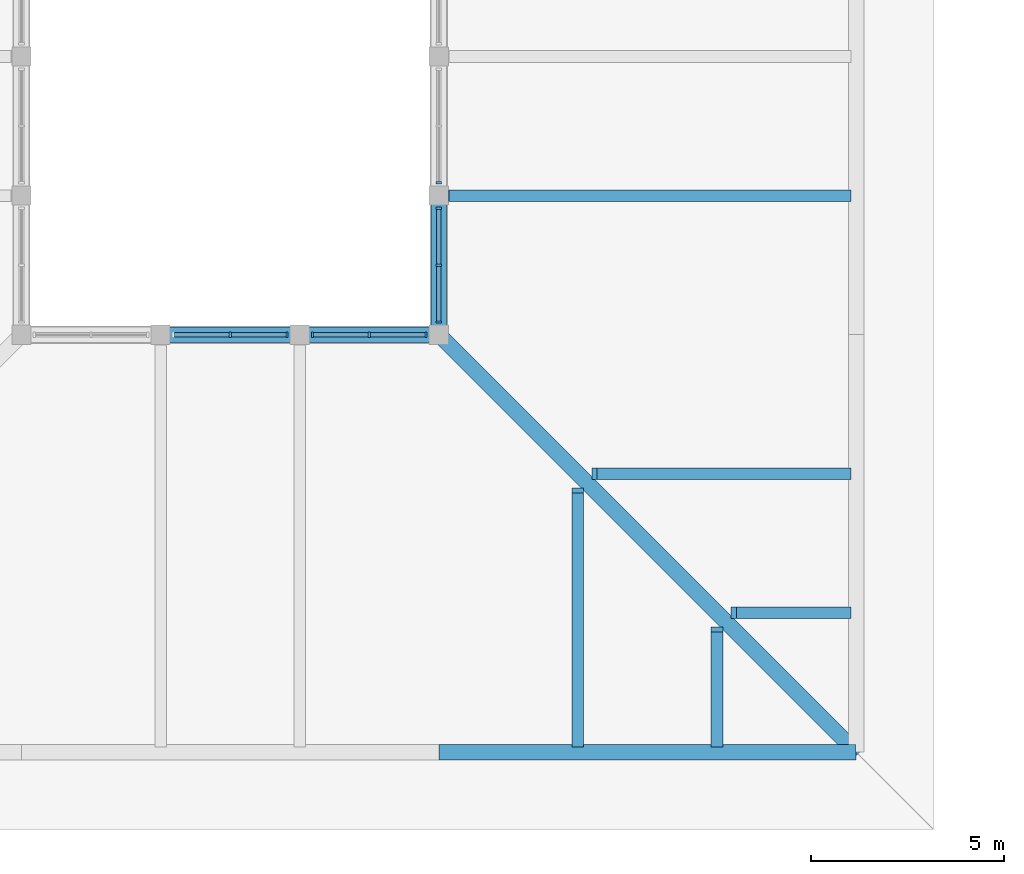
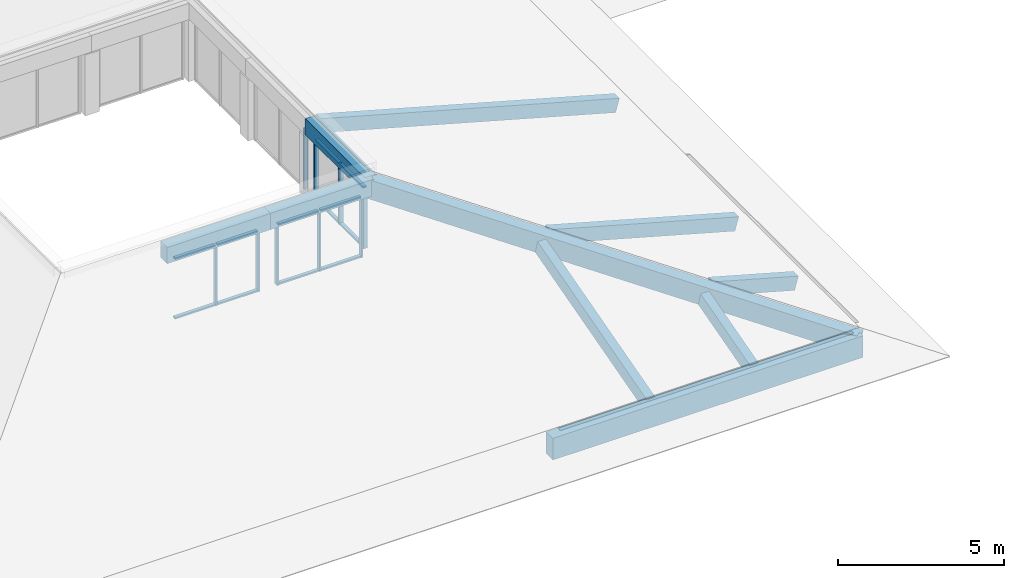
# One storey, part 10 of 95: 21 members, 10 beams, 4 elements without a shape of their own.
"""IFC4 building model written with IfcOpenShell, lengths in metres."""

from ifc_helpers import new_model, si_unit, direction, frame, origin, origin_2d, place, context, subcontext, project, spatial, rectangle, extrude, material, layer, layer_set, material_profile, profile_set, type_object, element, aggregate, save


model = new_model("IFC4")

# Units and contexts
model_context = context("Model", 3, precision=1e-05, world=origin(), true_north=direction((0.0, 1.0)))
body_context = subcontext(model_context, "Body", "Model", "MODEL_VIEW")
ifc_project = project(units=[si_unit("LENGTHUNIT", "METRE"), si_unit("AREAUNIT", "SQUARE_METRE"), si_unit("VOLUMEUNIT", "CUBIC_METRE"), si_unit("PLANEANGLEUNIT", "RADIAN"), si_unit("MASSUNIT", "GRAM", prefix="KILO")], contexts=[model_context])

# Site, building, storey
site_placement = place(None, origin())
site = spatial("IfcSite", under=ifc_project, at=site_placement, CompositionType="ELEMENT")
building_placement = place(site_placement, origin())
building = spatial("IfcBuilding", under=site, at=building_placement, Name="Magnolia Steps Interchange", CompositionType="ELEMENT")
storey_placement = place(building_placement, frame((0.0, 0.0, 4.800048828125)))
storey = spatial("IfcBuildingStorey", under=building, at=storey_placement, Name="L01", CompositionType="ELEMENT", Elevation=4.800048828125)

# Curtain wall, members
ifc_material_1 = material(Name="Timber-framed glazing", Category="wood")
ifc_layer = layer(ifc_material_1, 0.10009765625)
ifc_layer_set = layer_set([ifc_layer], Name="Patio clerestory curtain wall")
curtain_wall_type = type_object("IfcCurtainWallType", Name="Patio clerestory curtain wall", PredefinedType="NOTDEFINED", material=ifc_layer_set)
curtain_wall_1_placement = place(storey_placement, origin())
curtain_wall_1 = element("IfcCurtainWall", 1, at=curtain_wall_1_placement, inside=storey, type_object=curtain_wall_type, Name="Patio clerestory glazing S2", PredefinedType="NOTDEFINED")
ifc_material_2 = material(Name="White powder-coated aluminium", Category="aluminium")
ifc_material_profile_1 = material_profile(ifc_material_2, rectangle(XDim=0.06005859375, YDim=0.14990234375, at=origin_2d()), Name="Aluminium mullion 60 x 150")
ifc_profile_set_1 = profile_set([ifc_material_profile_1], Name="White powder-coated aluminium")
member_type_1 = type_object("IfcMemberType", Name="Aluminium mullion 60 x 150", PredefinedType="MULLION", material=ifc_profile_set_1)
member_1_placement = place(storey_placement, frame((26.199951171875, 20.800048828125, 0.0), z_axis=(0.0, 0.0, 1.0), x_axis=(1.0, 0.0, 0.0)))
member_1 = element("IfcMember", 2, at=member_1_placement, type_object=member_type_1, Name="CW4 mullion 2", PredefinedType="MULLION", context=body_context, shape_type="SweptSolid", body=[
    extrude(rectangle(XDim=0.06005859375, YDim=0.14990234375, at=origin_2d()), origin(), (0.0, 0.0, 1.0), 2.25),
])
member_2_placement = place(storey_placement, frame((27.669921875, 20.800048828125, 0.0), z_axis=(0.0, 0.0, 1.0), x_axis=(1.0, 0.0, 0.0)))
member_2 = element("IfcMember", 3, at=member_2_placement, type_object=member_type_1, Name="CW4 mullion 3", PredefinedType="MULLION", context=body_context, shape_type="SweptSolid", body=[
    extrude(rectangle(XDim=0.06005859375, YDim=0.14990234375, at=origin_2d()), origin(), (0.0, 0.0, 1.0), 2.25),
])

curtain_wall_2_placement = place(storey_placement, origin())
curtain_wall_2 = element("IfcCurtainWall", 4, at=curtain_wall_2_placement, inside=storey, type_object=curtain_wall_type, Name="Patio clerestory glazing S3", PredefinedType="NOTDEFINED")
member_3_placement = place(storey_placement, frame((28.330078125, 20.800048828125, 0.0), z_axis=(0.0, 0.0, 1.0), x_axis=(1.0, 0.0, 0.0)))
member_3 = element("IfcMember", 5, at=member_3_placement, type_object=member_type_1, Name="CW4 mullion 1", PredefinedType="MULLION", context=body_context, shape_type="SweptSolid", body=[
    extrude(rectangle(XDim=0.06005859375, YDim=0.14990234375, at=origin_2d()), origin(), (0.0, 0.0, 1.0), 2.25),
])
member_4_placement = place(storey_placement, frame((29.800048828125, 20.800048828125, 0.0), z_axis=(0.0, 0.0, 1.0), x_axis=(1.0, 0.0, 0.0)))
member_4 = element("IfcMember", 6, at=member_4_placement, type_object=member_type_1, Name="CW4 mullion 2", PredefinedType="MULLION", context=body_context, shape_type="SweptSolid", body=[
    extrude(rectangle(XDim=0.06005859375, YDim=0.14990234375, at=origin_2d()), origin(), (0.0, 0.0, 1.0), 2.25),
])
member_5_placement = place(storey_placement, frame((31.27001953125, 20.800048828125, 0.0), z_axis=(0.0, 0.0, 1.0), x_axis=(1.0, 0.0, 0.0)))
member_5 = element("IfcMember", 7, at=member_5_placement, type_object=member_type_1, Name="CW4 mullion 3", PredefinedType="MULLION", context=body_context, shape_type="SweptSolid", body=[
    extrude(rectangle(XDim=0.06005859375, YDim=0.14990234375, at=origin_2d()), origin(), (0.0, 0.0, 1.0), 2.25),
])

curtain_wall_3_placement = place(storey_placement, origin())
curtain_wall_3 = element("IfcCurtainWall", 8, at=curtain_wall_3_placement, inside=storey, type_object=curtain_wall_type, Name="Patio clerestory glazing E1", PredefinedType="NOTDEFINED")
member_6_placement = place(storey_placement, frame((31.60009765625, 21.1298828125, 0.0), z_axis=(0.0, 0.0, 1.0), x_axis=(0.0, 1.0, 0.0)))
member_6 = element("IfcMember", 9, at=member_6_placement, type_object=member_type_1, Name="CW4 mullion 1", PredefinedType="MULLION", context=body_context, shape_type="SweptSolid", body=[
    extrude(rectangle(XDim=0.06005859375, YDim=0.14990234375, at=origin_2d()), origin(), (0.0, 0.0, 1.0), 2.25),
])
member_7_placement = place(storey_placement, frame((31.60009765625, 22.60009765625, 0.0), z_axis=(0.0, 0.0, 1.0), x_axis=(0.0, 1.0, 0.0)))
member_7 = element("IfcMember", 10, at=member_7_placement, type_object=member_type_1, Name="CW4 mullion 2", PredefinedType="MULLION", context=body_context, shape_type="SweptSolid", body=[
    extrude(rectangle(XDim=0.06005859375, YDim=0.14990234375, at=origin_2d()), origin(), (0.0, 0.0, 1.0), 2.25),
])
member_8_placement = place(storey_placement, frame((31.60009765625, 24.070068359375, 0.0), z_axis=(0.0, 0.0, 1.0), x_axis=(0.0, 1.0, 0.0)))
member_8 = element("IfcMember", 11, at=member_8_placement, type_object=member_type_1, Name="CW4 mullion 3", PredefinedType="MULLION", context=body_context, shape_type="SweptSolid", body=[
    extrude(rectangle(XDim=0.06005859375, YDim=0.14990234375, at=origin_2d()), origin(), (0.0, 0.0, 1.0), 2.25),
])

# Curtain wall, member
curtain_wall_4_placement = place(storey_placement, origin())
curtain_wall_4 = element("IfcCurtainWall", 12, at=curtain_wall_4_placement, inside=storey, type_object=curtain_wall_type, Name="Patio clerestory glazing E2", PredefinedType="NOTDEFINED")
member_9_placement = place(storey_placement, frame((31.60009765625, 24.72998046875, 0.0), z_axis=(0.0, 0.0, 1.0), x_axis=(0.0, 1.0, 0.0)))
member_9 = element("IfcMember", 13, at=member_9_placement, type_object=member_type_1, Name="CW4 mullion 1", PredefinedType="MULLION", context=body_context, shape_type="SweptSolid", body=[
    extrude(rectangle(XDim=0.06005859375, YDim=0.14990234375, at=origin_2d()), origin(), (0.0, 0.0, 1.0), 2.25),
])
aggregate(curtain_wall_4, [member_9])

# Member
ifc_material_3 = material(Name="White powder-coated aluminium", Category="aluminium")
ifc_material_profile_2 = material_profile(ifc_material_3, rectangle(XDim=0.06005859375, YDim=0.1201171875, at=origin_2d()), Name="Aluminium transom 60 x 120")
ifc_profile_set_2 = profile_set([ifc_material_profile_2], Name="White powder-coated aluminium")
member_type_2 = type_object("IfcMemberType", Name="Aluminium transom 60 x 120", PredefinedType="USERDEFINED", material=ifc_profile_set_2)
member_10_placement = place(storey_placement, frame((24.760009765625, 20.800048828125, 0.030029296875), z_axis=(1.0, 0.0, 0.0), x_axis=(0.0, 0.0, 1.0)))
member_10 = element("IfcMember", 14, at=member_10_placement, type_object=member_type_2, Name="CW4 transom 1.1", ObjectType="TRANSOM", PredefinedType="USERDEFINED", context=body_context, shape_type="SweptSolid", body=[
    extrude(rectangle(XDim=0.06005859375, YDim=0.1201171875, at=origin_2d()), origin(), (0.0, 0.0, 1.0), 1.409912109375),
])

member_11_placement = place(storey_placement, frame((24.760009765625, 20.800048828125, 2.219970703125), z_axis=(1.0, 0.0, 0.0), x_axis=(0.0, 0.0, 1.0)))
member_11 = element("IfcMember", 15, at=member_11_placement, type_object=member_type_2, Name="CW4 transom 1.2", ObjectType="TRANSOM", PredefinedType="USERDEFINED", context=body_context, shape_type="SweptSolid", body=[
    extrude(rectangle(XDim=0.06005859375, YDim=0.1201171875, at=origin_2d()), origin(), (0.0, 0.0, 1.0), 1.409912109375),
])

member_12_placement = place(storey_placement, frame((26.22998046875, 20.800048828125, 0.030029296875), z_axis=(1.0, 0.0, 0.0), x_axis=(0.0, 0.0, 1.0)))
member_12 = element("IfcMember", 16, at=member_12_placement, type_object=member_type_2, Name="CW4 transom 2.1", ObjectType="TRANSOM", PredefinedType="USERDEFINED", context=body_context, shape_type="SweptSolid", body=[
    extrude(rectangle(XDim=0.06005859375, YDim=0.1201171875, at=origin_2d()), origin(), (0.0, 0.0, 1.0), 1.409912109375),
])

member_13_placement = place(storey_placement, frame((26.22998046875, 20.800048828125, 2.219970703125), z_axis=(1.0, 0.0, 0.0), x_axis=(0.0, 0.0, 1.0)))
member_13 = element("IfcMember", 17, at=member_13_placement, type_object=member_type_2, Name="CW4 transom 2.2", ObjectType="TRANSOM", PredefinedType="USERDEFINED", context=body_context, shape_type="SweptSolid", body=[
    extrude(rectangle(XDim=0.06005859375, YDim=0.1201171875, at=origin_2d()), origin(), (0.0, 0.0, 1.0), 1.409912109375),
])

aggregate(curtain_wall_1, [member_1, member_2, member_10, member_11, member_12, member_13])

member_14_placement = place(storey_placement, frame((28.360107421875, 20.800048828125, 0.030029296875), z_axis=(1.0, 0.0, 0.0), x_axis=(0.0, 0.0, 1.0)))
member_14 = element("IfcMember", 18, at=member_14_placement, type_object=member_type_2, Name="CW4 transom 1.1", ObjectType="TRANSOM", PredefinedType="USERDEFINED", context=body_context, shape_type="SweptSolid", body=[
    extrude(rectangle(XDim=0.06005859375, YDim=0.1201171875, at=origin_2d()), origin(), (0.0, 0.0, 1.0), 1.409912109375),
])

member_15_placement = place(storey_placement, frame((28.360107421875, 20.800048828125, 2.219970703125), z_axis=(1.0, 0.0, 0.0), x_axis=(0.0, 0.0, 1.0)))
member_15 = element("IfcMember", 19, at=member_15_placement, type_object=member_type_2, Name="CW4 transom 1.2", ObjectType="TRANSOM", PredefinedType="USERDEFINED", context=body_context, shape_type="SweptSolid", body=[
    extrude(rectangle(XDim=0.06005859375, YDim=0.1201171875, at=origin_2d()), origin(), (0.0, 0.0, 1.0), 1.409912109375),
])

member_16_placement = place(storey_placement, frame((29.830078125, 20.800048828125, 0.030029296875), z_axis=(1.0, 0.0, 0.0), x_axis=(0.0, 0.0, 1.0)))
member_16 = element("IfcMember", 20, at=member_16_placement, type_object=member_type_2, Name="CW4 transom 2.1", ObjectType="TRANSOM", PredefinedType="USERDEFINED", context=body_context, shape_type="SweptSolid", body=[
    extrude(rectangle(XDim=0.06005859375, YDim=0.1201171875, at=origin_2d()), origin(), (0.0, 0.0, 1.0), 1.409912109375),
])

member_17_placement = place(storey_placement, frame((29.830078125, 20.800048828125, 2.219970703125), z_axis=(1.0, 0.0, 0.0), x_axis=(0.0, 0.0, 1.0)))
member_17 = element("IfcMember", 21, at=member_17_placement, type_object=member_type_2, Name="CW4 transom 2.2", ObjectType="TRANSOM", PredefinedType="USERDEFINED", context=body_context, shape_type="SweptSolid", body=[
    extrude(rectangle(XDim=0.06005859375, YDim=0.1201171875, at=origin_2d()), origin(), (0.0, 0.0, 1.0), 1.409912109375),
])

aggregate(curtain_wall_2, [member_3, member_4, member_5, member_14, member_15, member_16, member_17])

member_18_placement = place(storey_placement, frame((31.60009765625, 21.159912109375, 0.030029296875), z_axis=(0.0, 1.0, 0.0), x_axis=(0.0, 0.0, 1.0)))
member_18 = element("IfcMember", 22, at=member_18_placement, type_object=member_type_2, Name="CW4 transom 1.1", ObjectType="TRANSOM", PredefinedType="USERDEFINED", context=body_context, shape_type="SweptSolid", body=[
    extrude(rectangle(XDim=0.06005859375, YDim=0.1201171875, at=origin_2d()), origin(), (0.0, 0.0, 1.0), 1.41015625),
])

member_19_placement = place(storey_placement, frame((31.60009765625, 21.159912109375, 2.219970703125), z_axis=(0.0, 1.0, 0.0), x_axis=(0.0, 0.0, 1.0)))
member_19 = element("IfcMember", 23, at=member_19_placement, type_object=member_type_2, Name="CW4 transom 1.2", ObjectType="TRANSOM", PredefinedType="USERDEFINED", context=body_context, shape_type="SweptSolid", body=[
    extrude(rectangle(XDim=0.06005859375, YDim=0.1201171875, at=origin_2d()), origin(), (0.0, 0.0, 1.0), 1.41015625),
])

member_20_placement = place(storey_placement, frame((31.60009765625, 22.6298828125, 0.030029296875), z_axis=(0.0, 1.0, 0.0), x_axis=(0.0, 0.0, 1.0)))
member_20 = element("IfcMember", 24, at=member_20_placement, type_object=member_type_2, Name="CW4 transom 2.1", ObjectType="TRANSOM", PredefinedType="USERDEFINED", context=body_context, shape_type="SweptSolid", body=[
    extrude(rectangle(XDim=0.06005859375, YDim=0.1201171875, at=origin_2d()), origin(), (0.0, 0.0, 1.0), 1.41015625),
])

member_21_placement = place(storey_placement, frame((31.60009765625, 22.6298828125, 2.219970703125), z_axis=(0.0, 1.0, 0.0), x_axis=(0.0, 0.0, 1.0)))
member_21 = element("IfcMember", 25, at=member_21_placement, type_object=member_type_2, Name="CW4 transom 2.2", ObjectType="TRANSOM", PredefinedType="USERDEFINED", context=body_context, shape_type="SweptSolid", body=[
    extrude(rectangle(XDim=0.06005859375, YDim=0.1201171875, at=origin_2d()), origin(), (0.0, 0.0, 1.0), 1.41015625),
])

aggregate(curtain_wall_3, [member_6, member_7, member_8, member_18, member_19, member_20, member_21])

# Beams
ifc_material_4 = material(Name="Concrete C40", Category="concrete")
ifc_material_profile_3 = material_profile(ifc_material_4, rectangle(XDim=0.39990234375, YDim=0.800048828125, at=origin_2d()), Name="RC400x800")
ifc_profile_set_3 = profile_set([ifc_material_profile_3], Name="Concrete C40")
beam_type_1 = type_object("IfcBeamType", Name="Eaves ring beam 400x800", PredefinedType="BEAM", material=ifc_profile_set_3)
beam_1_placement = place(storey_placement, frame((31.60009765625, 10.0, -0.550048828125), z_axis=(1.0, 0.0, 0.0), x_axis=(0.0, 1.0, 0.0)))
element("IfcBeam", 26, at=beam_1_placement, inside=storey, type_object=beam_type_1, Name="Eaves ring beam", PredefinedType="BEAM", context=body_context, shape_type="SweptSolid", body=[
    extrude(rectangle(XDim=0.39990234375, YDim=0.800048828125, at=origin_2d()), origin(), (0.0, 0.0, 1.0), 10.7998046875),
])
ifc_material_5 = material(Name="Concrete C40", Category="concrete")
ifc_material_profile_4 = material_profile(ifc_material_5, rectangle(XDim=0.39990234375, YDim=0.699951171875, at=origin_2d()), Name="RC400x700")
ifc_profile_set_4 = profile_set([ifc_material_profile_4], Name="Concrete C40")
beam_type_2 = type_object("IfcBeamType", Name="Hip beam 400x700", PredefinedType="BEAM", material=ifc_profile_set_4)
beam_2_placement = place(storey_placement, frame((42.39990234375, 10.0, -0.509765625), z_axis=(-0.693840992711, 0.693856677696, 0.192737094639), x_axis=(-0.707114773487, -0.707098788796, 0.0)))
element("IfcBeam", 27, at=beam_2_placement, inside=storey, type_object=beam_type_2, Name="Hip beam", PredefinedType="BEAM", context=body_context, shape_type="SweptSolid", body=[
    extrude(rectangle(XDim=0.39990234375, YDim=0.699951171875, at=origin_2d()), origin(), (0.0, 0.0, 1.0), 15.565185546875),
])
ifc_material_6 = material(Name="Concrete C40", Category="concrete")
ifc_material_profile_5 = material_profile(ifc_material_6, rectangle(XDim=0.39990234375, YDim=0.60009765625, at=origin_2d()), Name="RC400x600")
ifc_profile_set_5 = profile_set([ifc_material_profile_5], Name="Concrete C40")
beam_type_3 = type_object("IfcBeamType", Name="Ridge ring beam 400x600", PredefinedType="BEAM", material=ifc_profile_set_5)
for number, where, z_axis, x_axis, name in (
    (28, (24.39990234375, 20.800048828125, 2.550048828125), (1.0, 0.0, 0.0), (0.0, 1.0, 0.0), "Ridge ring beam"),
    (29, (28.0, 20.800048828125, 2.550048828125), (1.0, 0.0, 0.0), (0.0, 1.0, 0.0), "Ridge ring beam"),
):
    element("IfcBeam", number, at=place(storey_placement, frame(where, z_axis=z_axis, x_axis=x_axis)), inside=storey, type_object=beam_type_3, Name=name, PredefinedType="BEAM", context=body_context, shape_type="SweptSolid", body=[
        extrude(rectangle(XDim=0.39990234375, YDim=0.60009765625, at=origin_2d()), origin(), (0.0, 0.0, 1.0), 3.60009765625),
    ])
beam_3_placement = place(storey_placement, frame((31.60009765625, 20.800048828125, 2.550048828125), z_axis=(0.0, 1.0, 0.0), x_axis=(-1.0, 0.0, 0.0)))
element("IfcBeam", 30, at=beam_3_placement, inside=storey, type_object=beam_type_3, Name="Ridge ring beam", PredefinedType="BEAM", context=body_context, shape_type="SweptSolid", body=[
    extrude(rectangle(XDim=0.39990234375, YDim=0.60009765625, at=origin_2d()), origin(), (0.0, 0.0, 1.0), 3.599853515625),
])
ifc_material_7 = material(Name="Concrete C40", Category="concrete")
ifc_material_profile_6 = material_profile(ifc_material_7, rectangle(XDim=0.300048828125, YDim=0.5, at=origin_2d()), Name="RC300x500")
ifc_profile_set_6 = profile_set([ifc_material_profile_6], Name="Concrete C40")
beam_type_4 = type_object("IfcBeamType", Name="Roof rafter 300x500", PredefinedType="BEAM", material=ifc_profile_set_6)
beam_4_placement = place(storey_placement, frame((35.199951171875, 10.199951171875, -0.359619140625), z_axis=(0.0, 0.96351739645, 0.267645711226), x_axis=(-1.0, 0.0, 0.0)))
element("IfcBeam", 31, at=beam_4_placement, inside=storey, type_object=beam_type_4, Name="Roof rafter", PredefinedType="BEAM", context=body_context, shape_type="SweptSolid", body=[
    extrude(rectangle(XDim=0.300048828125, YDim=0.5, at=origin_2d()), origin(), (0.0, 0.0, 1.0), 6.81591796875),
])
beam_5_placement = place(storey_placement, frame((38.800048828125, 10.199951171875, -0.359619140625), z_axis=(0.0, 0.963520181113, 0.267635686312), x_axis=(-1.0, 0.0, 0.0)))
element("IfcBeam", 32, at=beam_5_placement, inside=storey, type_object=beam_type_4, Name="Roof rafter", PredefinedType="BEAM", context=body_context, shape_type="SweptSolid", body=[
    extrude(rectangle(XDim=0.300048828125, YDim=0.5, at=origin_2d()), origin(), (0.0, 0.0, 1.0), 3.07958984375),
])
beam_6_placement = place(storey_placement, frame((42.199951171875, 13.60009765625, -0.359619140625), z_axis=(-0.963514502015, 0.0, 0.267656130898), x_axis=(0.0, -1.0, 0.0)))
element("IfcBeam", 33, at=beam_6_placement, inside=storey, type_object=beam_type_4, Name="Roof rafter", PredefinedType="BEAM", context=body_context, shape_type="SweptSolid", body=[
    extrude(rectangle(XDim=0.300048828125, YDim=0.5, at=origin_2d()), origin(), (0.0, 0.0, 1.0), 3.079345703125),
])
beam_7_placement = place(storey_placement, frame((42.199951171875, 17.199951171875, -0.359619140625), z_axis=(-0.96351739645, 0.0, 0.267645711226), x_axis=(0.0, -1.0, 0.0)))
element("IfcBeam", 34, at=beam_7_placement, inside=storey, type_object=beam_type_4, Name="Roof rafter", PredefinedType="BEAM", context=body_context, shape_type="SweptSolid", body=[
    extrude(rectangle(XDim=0.300048828125, YDim=0.5, at=origin_2d()), origin(), (0.0, 0.0, 1.0), 6.81591796875),
])
beam_8_placement = place(storey_placement, frame((42.199951171875, 24.39990234375, -0.359619140625), z_axis=(-0.963516613411, 0.0, 0.26764853013), x_axis=(0.0, -1.0, 0.0)))
element("IfcBeam", 35, at=beam_8_placement, inside=storey, type_object=beam_type_4, Name="Roof rafter", PredefinedType="BEAM", context=body_context, shape_type="SweptSolid", body=[
    extrude(rectangle(XDim=0.300048828125, YDim=0.5, at=origin_2d()), origin(), (0.0, 0.0, 1.0), 10.793701171875),
])

save(model, "model.ifc")
